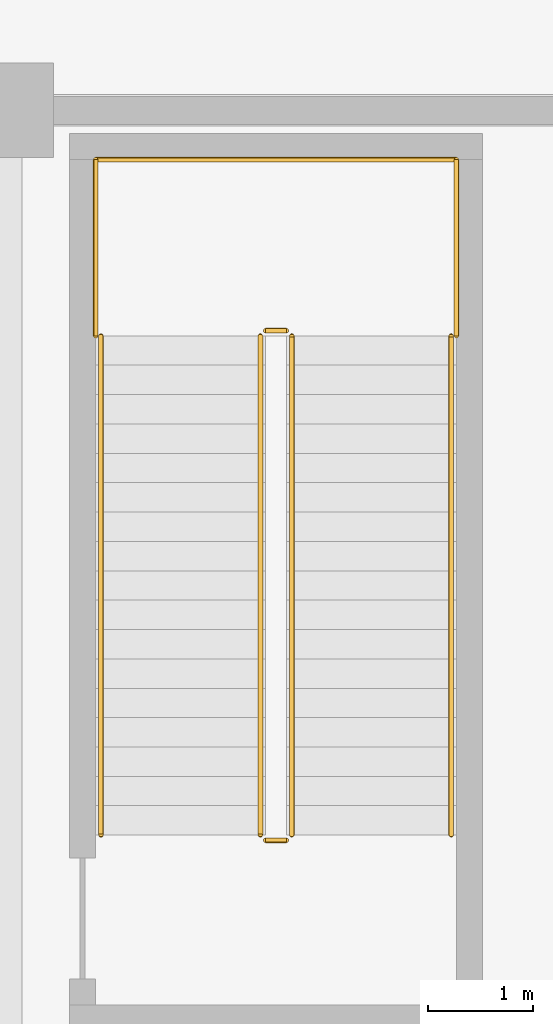
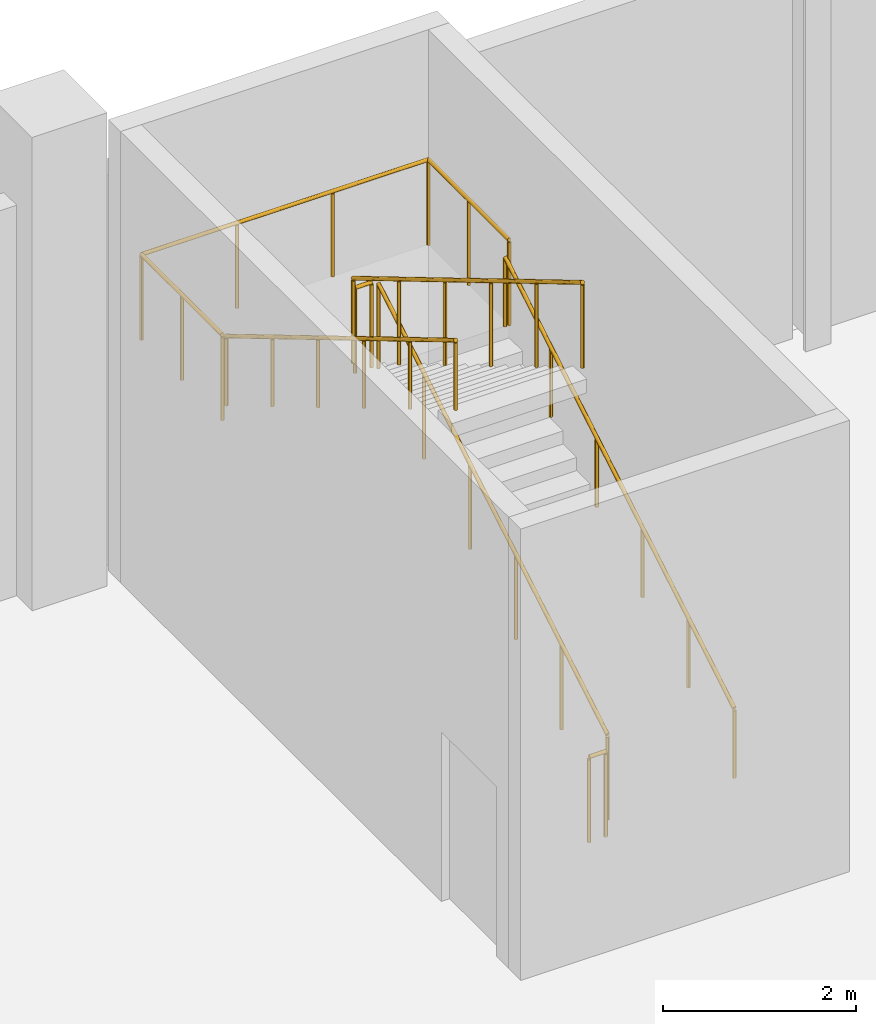
# One storey, part 58 of 58: 9 railings.
"""IFC4 building model written with IfcOpenShell, lengths in metres."""

from ifc_helpers import new_model, si_unit, direction, frame, origin, origin_2d, place, context, subcontext, project, spatial, circle, extrude, material, type_object, element, save


model = new_model("IFC4")

# Units and contexts
model_context = context("Model", 3, precision=1e-05, world=origin(), true_north=direction((0.0, 1.0)))
body_context = subcontext(model_context, "Body", "Model", "MODEL_VIEW")
ifc_project = project(units=[si_unit("LENGTHUNIT", "METRE"), si_unit("AREAUNIT", "SQUARE_METRE"), si_unit("VOLUMEUNIT", "CUBIC_METRE"), si_unit("PLANEANGLEUNIT", "RADIAN"), si_unit("MASSUNIT", "GRAM", prefix="KILO")], contexts=[model_context])

# Site, building, storey
site_placement = place(None, origin())
site = spatial("IfcSite", under=ifc_project, at=site_placement, CompositionType="ELEMENT")
building_placement = place(site_placement, origin())
building = spatial("IfcBuilding", under=site, at=building_placement, Name="Barlavento Convention Centre", CompositionType="ELEMENT")
storey_placement = place(building_placement, origin())
storey = spatial("IfcBuildingStorey", under=building, at=storey_placement, Name="L00", CompositionType="ELEMENT", Elevation=0.0)

# Railings
ifc_material_1 = material(Name="Stainless steel and laminated glass balustrade", Category="steel")
railing_type_1 = type_object("IfcRailingType", Name="ARC-RAL-BAL-1100", PredefinedType="BALUSTRADE", material=ifc_material_1)
railing_1_placement = place(storey_placement, frame((65.719970703125, 128.090087890625, 0.166748046875)))
element("IfcRailing", 1, at=railing_1_placement, inside=storey, type_object=railing_type_1, Name="L00 ST13 stair guard 1", PredefinedType="BALUSTRADE", context=body_context, shape_type="SweptSolid", body=[
    extrude(circle(Radius=0.02392578125, at=origin_2d()), frame((0.0, 0.0, 1.076171875), z_axis=(0.0, 0.859299802514, 0.511472237174), x_axis=(-1.0, 0.0, 0.0)), (0.0, 0.0, 1.0), 5.539306640625),
    extrude(circle(Radius=0.02099609375, at=origin_2d()), origin(), (0.0, 0.0, 1.0), 1.052001953125),
    extrude(circle(Radius=0.02099609375, at=origin_2d()), frame((0.0, 0.951904296875, 0.566650390625)), (0.0, 0.0, 1.0), 1.052001953125),
    extrude(circle(Radius=0.02099609375, at=origin_2d()), frame((0.0, 1.904052734375, 1.13330078125)), (0.0, 0.0, 1.0), 1.052001953125),
    extrude(circle(Radius=0.02099609375, at=origin_2d()), frame((0.0, 2.85595703125, 1.699951171875)), (0.0, 0.0, 1.0), 1.052001953125),
    extrude(circle(Radius=0.02099609375, at=origin_2d()), frame((0.0, 3.80810546875, 2.2666015625)), (0.0, 0.0, 1.0), 1.052001953125),
    extrude(circle(Radius=0.02099609375, at=origin_2d()), frame((0.0, 4.760009765625, 2.833251953125)), (0.0, 0.0, 1.0), 1.052001953125),
])
railing_2_placement = place(storey_placement, frame((65.669921875, 132.89990234375, 3.0)))
element("IfcRailing", 2, at=railing_2_placement, inside=storey, type_object=railing_type_1, Name="L00 ST13 stair guard 2", PredefinedType="BALUSTRADE", context=body_context, shape_type="SweptSolid", body=[
    extrude(circle(Radius=0.02392578125, at=origin_2d()), frame((0.0, 0.0, 1.076171875), z_axis=(-1.0, 0.0, 0.0), x_axis=(0.0, -1.0, 0.0)), (0.0, 0.0, 1.0), 0.199951171875),
    extrude(circle(Radius=0.02099609375, at=origin_2d()), origin(), (0.0, 0.0, 1.0), 1.052001953125),
    extrude(circle(Radius=0.02099609375, at=origin_2d()), frame((-0.199951171875, 0.0, 0.0)), (0.0, 0.0, 1.0), 1.052001953125),
])
railing_3_placement = place(storey_placement, frame((65.419921875, 132.85009765625, 3.166748046875)))
element("IfcRailing", 3, at=railing_3_placement, inside=storey, type_object=railing_type_1, Name="L00 ST13 stair guard 3", PredefinedType="BALUSTRADE", context=body_context, shape_type="SweptSolid", body=[
    extrude(circle(Radius=0.02392578125, at=origin_2d()), frame((0.0, 0.0, 1.076171875), z_axis=(0.0, -0.859299802514, 0.511472237174), x_axis=(1.0, 0.0, 0.0)), (0.0, 0.0, 1.0), 5.539306640625),
    extrude(circle(Radius=0.02099609375, at=origin_2d()), origin(), (0.0, 0.0, 1.0), 1.052001953125),
    extrude(circle(Radius=0.02099609375, at=origin_2d()), frame((0.0, -0.951904296875, 0.566650390625)), (0.0, 0.0, 1.0), 1.052001953125),
    extrude(circle(Radius=0.02099609375, at=origin_2d()), frame((0.0, -1.904052734375, 1.13330078125)), (0.0, 0.0, 1.0), 1.052001953125),
    extrude(circle(Radius=0.02099609375, at=origin_2d()), frame((0.0, -2.85595703125, 1.699951171875)), (0.0, 0.0, 1.0), 1.052001953125),
    extrude(circle(Radius=0.02099609375, at=origin_2d()), frame((0.0, -3.80810546875, 2.2666015625)), (0.0, 0.0, 1.0), 1.052001953125),
    extrude(circle(Radius=0.02099609375, at=origin_2d()), frame((0.0, -4.760009765625, 2.833251953125)), (0.0, 0.0, 1.0), 1.052001953125),
])
railing_4_placement = place(storey_placement, frame((65.669921875, 128.0400390625, 0.0)))
element("IfcRailing", 4, at=railing_4_placement, inside=storey, type_object=railing_type_1, Name="L00 ST13 stair guard 4", PredefinedType="BALUSTRADE", context=body_context, shape_type="SweptSolid", body=[
    extrude(circle(Radius=0.02392578125, at=origin_2d()), frame((0.0, 0.0, 1.076171875), z_axis=(-1.0, 0.0, 0.0), x_axis=(0.0, -1.0, 0.0)), (0.0, 0.0, 1.0), 0.199951171875),
    extrude(circle(Radius=0.02099609375, at=origin_2d()), origin(), (0.0, 0.0, 1.0), 1.052001953125),
    extrude(circle(Radius=0.02099609375, at=origin_2d()), frame((-0.199951171875, 0.0, 0.0)), (0.0, 0.0, 1.0), 1.052001953125),
])
for number, where, name in (
    (5, (67.2900390625, 132.85009765625, 3.0), "L00 landing guard GR01"),
    (6, (63.85009765625, 132.85009765625, 3.0), "L00 landing guard GR01"),
):
    element("IfcRailing", number, at=place(storey_placement, frame(where)), inside=storey, type_object=railing_type_1, Name=name, PredefinedType="BALUSTRADE", context=body_context, shape_type="SweptSolid", body=[
        extrude(circle(Radius=0.02392578125, at=origin_2d()), frame((0.0, 0.0, 1.076171875), z_axis=(0.0, 1.0, 0.0), x_axis=(-1.0, 0.0, 0.0)), (0.0, 0.0, 1.0), 1.679931640625),
        extrude(circle(Radius=0.02099609375, at=origin_2d()), origin(), (0.0, 0.0, 1.0), 1.052001953125),
        extrude(circle(Radius=0.02099609375, at=origin_2d()), frame((0.0, 0.83984375, 0.0)), (0.0, 0.0, 1.0), 1.052001953125),
        extrude(circle(Radius=0.02099609375, at=origin_2d()), frame((0.0, 1.679931640625, 0.0)), (0.0, 0.0, 1.0), 1.052001953125),
    ])
railing_5_placement = place(storey_placement, frame((67.2900390625, 134.530029296875, 3.0)))
element("IfcRailing", 7, at=railing_5_placement, inside=storey, type_object=railing_type_1, Name="L00 landing guard GR01", PredefinedType="BALUSTRADE", context=body_context, shape_type="SweptSolid", body=[
    extrude(circle(Radius=0.02392578125, at=origin_2d()), frame((0.0, 0.0, 1.076171875), z_axis=(-1.0, 0.0, 0.0), x_axis=(0.0, -1.0, 0.0)), (0.0, 0.0, 1.0), 3.43994140625),
    extrude(circle(Radius=0.02099609375, at=origin_2d()), origin(), (0.0, 0.0, 1.0), 1.052001953125),
    extrude(circle(Radius=0.02099609375, at=origin_2d()), frame((-1.146728515625, 0.0, 0.0)), (0.0, 0.0, 1.0), 1.052001953125),
    extrude(circle(Radius=0.02099609375, at=origin_2d()), frame((-2.293212890625, 0.0, 0.0)), (0.0, 0.0, 1.0), 1.052001953125),
    extrude(circle(Radius=0.02099609375, at=origin_2d()), frame((-3.43994140625, 0.0, 0.0)), (0.0, 0.0, 1.0), 1.052001953125),
])
ifc_material_2 = material(Name="Brushed stainless steel tubular handrail", Category="steel")
railing_type_2 = type_object("IfcRailingType", Name="ARC-RAL-HR-900", PredefinedType="HANDRAIL", material=ifc_material_2)
railing_6_placement = place(storey_placement, frame((67.239990234375, 128.090087890625, 0.166748046875)))
element("IfcRailing", 8, at=railing_6_placement, inside=storey, type_object=railing_type_2, Name="L00 ST13 stair handrail 1", PredefinedType="HANDRAIL", context=body_context, shape_type="SweptSolid", body=[
    extrude(circle(Radius=0.02392578125, at=origin_2d()), frame((0.0, 0.0, 0.8759765625), z_axis=(0.0, 0.859299802514, 0.511472237174), x_axis=(-1.0, 0.0, 0.0)), (0.0, 0.0, 1.0), 5.539306640625),
    extrude(circle(Radius=0.02099609375, at=origin_2d()), origin(), (0.0, 0.0, 1.0), 0.851806640625),
    extrude(circle(Radius=0.02099609375, at=origin_2d()), frame((0.0, 0.951904296875, 0.566650390625)), (0.0, 0.0, 1.0), 0.851806640625),
    extrude(circle(Radius=0.02099609375, at=origin_2d()), frame((0.0, 1.904052734375, 1.13330078125)), (0.0, 0.0, 1.0), 0.851806640625),
    extrude(circle(Radius=0.02099609375, at=origin_2d()), frame((0.0, 2.85595703125, 1.699951171875)), (0.0, 0.0, 1.0), 0.851806640625),
    extrude(circle(Radius=0.02099609375, at=origin_2d()), frame((0.0, 3.80810546875, 2.2666015625)), (0.0, 0.0, 1.0), 0.851806640625),
    extrude(circle(Radius=0.02099609375, at=origin_2d()), frame((0.0, 4.760009765625, 2.833251953125)), (0.0, 0.0, 1.0), 0.851806640625),
])
railing_7_placement = place(storey_placement, frame((63.89990234375, 132.85009765625, 3.166748046875)))
element("IfcRailing", 9, at=railing_7_placement, inside=storey, type_object=railing_type_2, Name="L00 ST13 stair handrail 2", PredefinedType="HANDRAIL", context=body_context, shape_type="SweptSolid", body=[
    extrude(circle(Radius=0.02392578125, at=origin_2d()), frame((0.0, 0.0, 0.8759765625), z_axis=(0.0, -0.859299802514, 0.511472237174), x_axis=(1.0, 0.0, 0.0)), (0.0, 0.0, 1.0), 5.539306640625),
    extrude(circle(Radius=0.02099609375, at=origin_2d()), origin(), (0.0, 0.0, 1.0), 0.851806640625),
    extrude(circle(Radius=0.02099609375, at=origin_2d()), frame((0.0, -0.951904296875, 0.566650390625)), (0.0, 0.0, 1.0), 0.851806640625),
    extrude(circle(Radius=0.02099609375, at=origin_2d()), frame((0.0, -1.904052734375, 1.13330078125)), (0.0, 0.0, 1.0), 0.851806640625),
    extrude(circle(Radius=0.02099609375, at=origin_2d()), frame((0.0, -2.85595703125, 1.699951171875)), (0.0, 0.0, 1.0), 0.851806640625),
    extrude(circle(Radius=0.02099609375, at=origin_2d()), frame((0.0, -3.80810546875, 2.2666015625)), (0.0, 0.0, 1.0), 0.851806640625),
    extrude(circle(Radius=0.02099609375, at=origin_2d()), frame((0.0, -4.760009765625, 2.833251953125)), (0.0, 0.0, 1.0), 0.851806640625),
])

save(model, "model.ifc")
